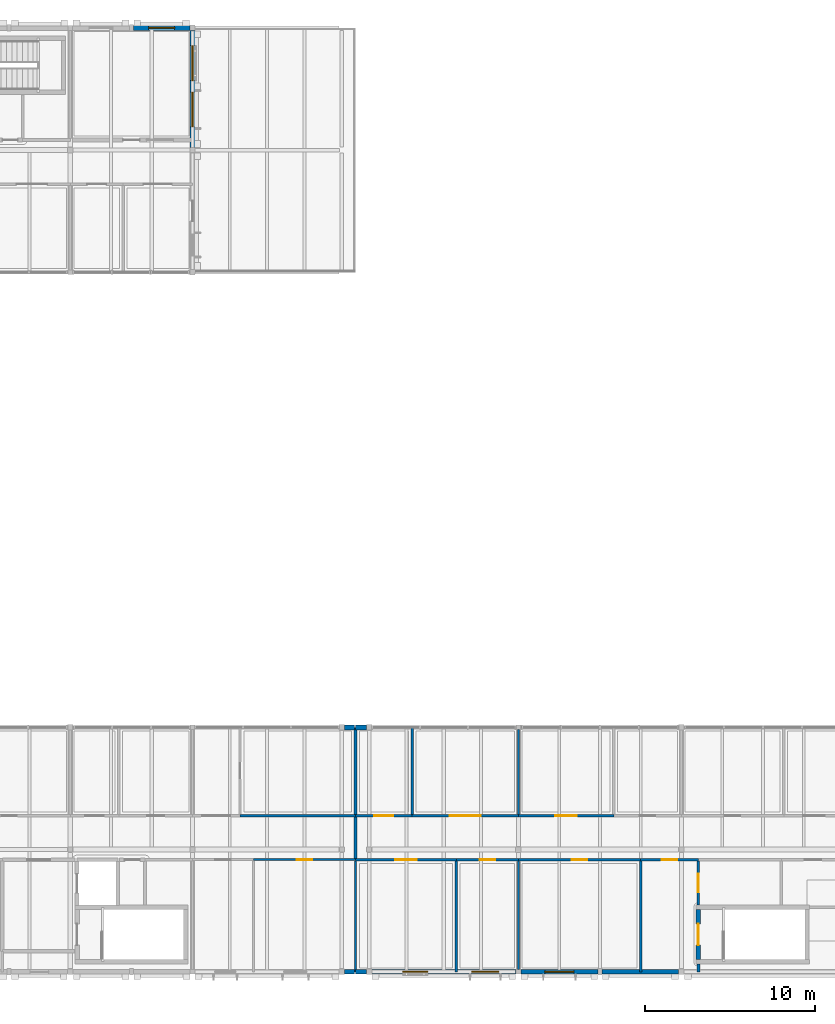
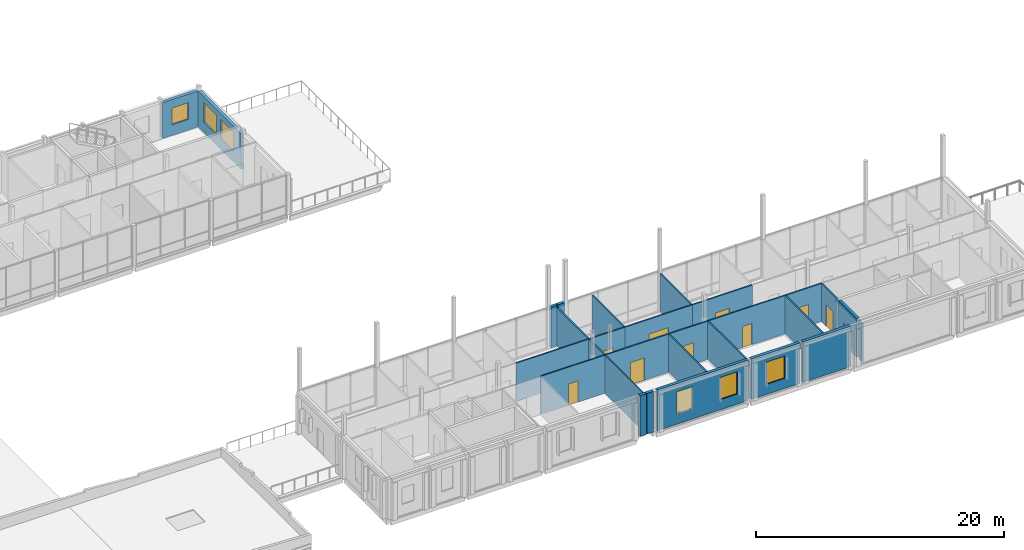
# One storey, part 42 of 57: 29 walls, 10 doors, 6 windows, 16 openings.
"""IFC4 building model written with IfcOpenShell, lengths in metres."""

from ifc_helpers import new_model, si_unit, direction, frame, frame_2d, origin, place, context, subcontext, project, spatial, rectangle, extrude, material, layer, layer_set, type_object, element, fill, save


model = new_model("IFC4")

# Units and contexts
model_context = context("Model", 3, precision=1e-05, world=origin(), true_north=direction((0.0, 1.0)))
body_context = subcontext(model_context, "Body", "Model", "MODEL_VIEW")
ifc_project = project(units=[si_unit("LENGTHUNIT", "METRE"), si_unit("AREAUNIT", "SQUARE_METRE"), si_unit("VOLUMEUNIT", "CUBIC_METRE"), si_unit("PLANEANGLEUNIT", "RADIAN"), si_unit("MASSUNIT", "GRAM", prefix="KILO")], contexts=[model_context])

# Site, building, storey
site_placement = place(None, origin())
site = spatial("IfcSite", under=ifc_project, at=site_placement, CompositionType="ELEMENT")
building_placement = place(site_placement, origin())
building = spatial("IfcBuilding", under=site, at=building_placement, Name="Hawrajan Terrace Health Centre", CompositionType="ELEMENT")
storey_placement = place(building_placement, frame((0.0, 0.0, 13.199951171875)))
storey = spatial("IfcBuildingStorey", under=building, at=storey_placement, Name="L03", CompositionType="ELEMENT", Elevation=13.199951171875)

# Wall
ifc_material_1 = material(Name="Gypsum board on acoustic stud framing")
ifc_layer_1 = layer(ifc_material_1, 0.139892578125)
ifc_layer_set_1 = layer_set([ifc_layer_1], Name="Gypsum board on acoustic stud framing")
wall_type_1 = type_object("IfcWallType", Name="ClinicalAcousticWall_140", PredefinedType="PARTITIONING", material=ifc_layer_set_1)
wall_1_placement = place(storey_placement, frame((65.0, 13.39990234375, 0.0), z_axis=(0.0, 0.0, 1.0), x_axis=(1.0, 0.0, 0.0)))
element("IfcWall", 1, at=wall_1_placement, inside=storey, type_object=wall_type_1, Name="Interior wall IW-L03-1358", PredefinedType="PARTITIONING", context=body_context, shape_type="SweptSolid", body=[
    extrude(rectangle(XDim=6.794921875, YDim=0.139892578125, at=frame_2d((3.3974609375, 0.0))), origin(), (0.0, 0.0, 1.0), 3.75),
])

# Wall, opening, door
wall_2_placement = place(storey_placement, frame((71.804931640625, 10.800048828125, 0.0), z_axis=(0.0, 0.0, 1.0), x_axis=(1.0, 0.0, 0.0)))
wall_2 = element("IfcWall", 2, at=wall_2_placement, inside=storey, type_object=wall_type_1, Name="Interior wall IW-L03-1361", PredefinedType="PARTITIONING", context=body_context, shape_type="SweptSolid", body=[
    extrude(rectangle(XDim=5.93896484375, YDim=0.139892578125, at=frame_2d((2.969482421875, 0.0))), origin(), (0.0, 0.0, 1.0), 3.75),
])
opening_1_placement = place(wall_2_placement, frame((2.32958984375, 0.0, 0.0)))
opening_1 = element("IfcOpeningElement", 3, at=opening_1_placement, cuts=wall_2, Name="Opening D-L03-620", PredefinedType="OPENING", context=body_context, shape_type="SweptSolid", body=[
    extrude(rectangle(XDim=1.280029296875, YDim=2.199951171875, at=frame_2d((0.64013671875, 1.10009765625))), frame((0.0, 0.079833984375, 0.0), z_axis=(0.0, -1.0, 0.0), x_axis=(1.0, 0.0, 0.0)), (0.0, 0.0, 1.0), 0.159912109375),
])
ifc_material_2 = material(Name="Hardwood acoustic clinical door leaf and frame", Category="wood")
door_type_1 = type_object("IfcDoorType", Name="ExamSuiteDoor_1280x2200", OperationType="NOTDEFINED", PredefinedType="DOOR", material=ifc_material_2)
door_1_placement = place(opening_1_placement, origin())
door_1 = element("IfcDoor", 4, at=door_1_placement, inside=storey, type_object=door_type_1, Name="Interior door D-L03-620", OperationType="SINGLE_SWING_RIGHT", OverallHeight=2.199951171875, OverallWidth=1.280029296875, PredefinedType="DOOR", context=body_context, shape_type="SweptSolid", body=[
    extrude(rectangle(XDim=1.280029296875, YDim=2.199951171875, at=frame_2d((0.64013671875, 1.10009765625))), frame((0.0, 0.02490234375, 0.0), z_axis=(0.0, -1.0, 0.0), x_axis=(1.0, 0.0, 0.0)), (0.0, 0.0, 1.0), 0.050048828125),
])
fill(opening_1, door_1)

wall_3_placement = place(storey_placement, frame((71.804931640625, 13.39990234375, 0.0), z_axis=(0.0, 0.0, 1.0), x_axis=(1.0, 0.0, 0.0)))
wall_3 = element("IfcWall", 5, at=wall_3_placement, inside=storey, type_object=wall_type_1, Name="Interior wall IW-L03-1362", PredefinedType="PARTITIONING", context=body_context, shape_type="SweptSolid", body=[
    extrude(rectangle(XDim=3.330078125, YDim=0.139892578125, at=frame_2d((1.6650390625, 0.0))), origin(), (0.0, 0.0, 1.0), 3.75),
])
opening_2_placement = place(wall_3_placement, frame((1.114990234375, 0.0, 0.0)))
opening_2 = element("IfcOpeningElement", 6, at=opening_2_placement, cuts=wall_3, Name="Opening D-L03-622", PredefinedType="OPENING", context=body_context, shape_type="SweptSolid", body=[
    extrude(rectangle(XDim=1.10009765625, YDim=2.10009765625, at=frame_2d((0.550048828125, 1.050048828125))), frame((0.0, 0.079833984375, 0.0), z_axis=(0.0, -1.0, 0.0), x_axis=(1.0, 0.0, 0.0)), (0.0, 0.0, 1.0), 0.159912109375),
])
door_type_2 = type_object("IfcDoorType", Name="ConsultDoor_1100x2100", OperationType="NOTDEFINED", PredefinedType="DOOR", material=ifc_material_2)
door_2_placement = place(opening_2_placement, origin())
door_2 = element("IfcDoor", 7, at=door_2_placement, inside=storey, type_object=door_type_2, Name="Interior door D-L03-622", OperationType="SINGLE_SWING_RIGHT", OverallHeight=2.10009765625, OverallWidth=1.10009765625, PredefinedType="DOOR", context=body_context, shape_type="SweptSolid", body=[
    extrude(rectangle(XDim=1.10009765625, YDim=2.10009765625, at=frame_2d((0.550048828125, 1.050048828125))), frame((0.0, 0.02490234375, 0.0), z_axis=(0.0, -1.0, 0.0), x_axis=(1.0, 0.0, 0.0)), (0.0, 0.0, 1.0), 0.050048828125),
])
fill(opening_2, door_2)

# Wall
wall_4_placement = place(storey_placement, frame((75.135009765625, 13.469970703125, 0.0), z_axis=(0.0, 0.0, 1.0), x_axis=(0.0, 1.0, 0.0)))
element("IfcWall", 8, at=wall_4_placement, inside=storey, type_object=wall_type_1, Name="Interior wall IW-L03-1363", PredefinedType="PARTITIONING", context=body_context, shape_type="SweptSolid", body=[
    extrude(rectangle(XDim=5.130126953125, YDim=0.139892578125, at=frame_2d((2.56494140625, 0.0))), origin(), (0.0, 0.0, 1.0), 3.75),
])

# Wall, opening, door
wall_5_placement = place(storey_placement, frame((75.135009765625, 13.39990234375, 0.0), z_axis=(0.0, 0.0, 1.0), x_axis=(1.0, 0.0, 0.0)))
wall_5 = element("IfcWall", 9, at=wall_5_placement, inside=storey, type_object=wall_type_1, Name="Interior wall IW-L03-1364", PredefinedType="PARTITIONING", context=body_context, shape_type="SweptSolid", body=[
    extrude(rectangle(XDim=6.264892578125, YDim=0.139892578125, at=frame_2d((3.13232421875, 0.0))), origin(), (0.0, 0.0, 1.0), 3.75),
])
opening_3_placement = place(wall_5_placement, frame((2.232421875, 0.0, 0.0)))
opening_3 = element("IfcOpeningElement", 10, at=opening_3_placement, cuts=wall_5, Name="Opening D-L03-623", PredefinedType="OPENING", context=body_context, shape_type="SweptSolid", body=[
    extrude(rectangle(XDim=1.800048828125, YDim=2.300048828125, at=frame_2d((0.89990234375, 1.14990234375))), frame((0.0, 0.079833984375, 0.0), z_axis=(0.0, -1.0, 0.0), x_axis=(1.0, 0.0, 0.0)), (0.0, 0.0, 1.0), 0.159912109375),
])
door_type_3 = type_object("IfcDoorType", Name="EducationHallDoor_1800x2300", OperationType="DOUBLE_DOOR_SINGLE_SWING", PredefinedType="DOOR", material=ifc_material_2)
door_3_placement = place(opening_3_placement, origin())
door_3 = element("IfcDoor", 11, at=door_3_placement, inside=storey, type_object=door_type_3, Name="Interior door D-L03-623", OperationType="DOUBLE_DOOR_SINGLE_SWING", OverallHeight=2.300048828125, OverallWidth=1.800048828125, PredefinedType="DOOR", context=body_context, shape_type="SweptSolid", body=[
    extrude(rectangle(XDim=1.800048828125, YDim=2.300048828125, at=frame_2d((0.89990234375, 1.14990234375))), frame((0.0, 0.02490234375, 0.0), z_axis=(0.0, -1.0, 0.0), x_axis=(1.0, 0.0, 0.0)), (0.0, 0.0, 1.0), 0.050048828125),
])
fill(opening_3, door_3)

# Wall
wall_6_placement = place(storey_placement, frame((77.743896484375, 4.199951171875, 0.0), z_axis=(0.0, 0.0, 1.0), x_axis=(0.0, 1.0, 0.0)))
element("IfcWall", 12, at=wall_6_placement, inside=storey, type_object=wall_type_1, Name="Interior wall IW-L03-1365", PredefinedType="PARTITIONING", context=body_context, shape_type="SweptSolid", body=[
    extrude(rectangle(XDim=6.530029296875, YDim=0.139892578125, at=frame_2d((3.26513671875, 0.0))), origin(), (0.0, 0.0, 1.0), 3.75),
])

# Wall, opening, door
wall_7_placement = place(storey_placement, frame((77.743896484375, 10.800048828125, 0.0), z_axis=(0.0, 0.0, 1.0), x_axis=(1.0, 0.0, 0.0)))
wall_7 = element("IfcWall", 13, at=wall_7_placement, inside=storey, type_object=wall_type_1, Name="Interior wall IW-L03-1366", PredefinedType="PARTITIONING", context=body_context, shape_type="SweptSolid", body=[
    extrude(rectangle(XDim=3.656005859375, YDim=0.139892578125, at=frame_2d((1.828125, 0.0))), origin(), (0.0, 0.0, 1.0), 3.75),
])
opening_4_placement = place(wall_7_placement, frame((1.3779296875, 0.0, 0.0)))
opening_4 = element("IfcOpeningElement", 14, at=opening_4_placement, cuts=wall_7, Name="Opening D-L03-621", PredefinedType="OPENING", context=body_context, shape_type="SweptSolid", body=[
    extrude(rectangle(XDim=0.89990234375, YDim=2.10009765625, at=frame_2d((0.449951171875, 1.050048828125))), frame((0.0, 0.079833984375, 0.0), z_axis=(0.0, -1.0, 0.0), x_axis=(1.0, 0.0, 0.0)), (0.0, 0.0, 1.0), 0.159912109375),
])
door_type_4 = type_object("IfcDoorType", Name="PatientWCDoor_900x2100", OperationType="NOTDEFINED", PredefinedType="DOOR", material=ifc_material_2)
door_4_placement = place(opening_4_placement, origin())
door_4 = element("IfcDoor", 15, at=door_4_placement, inside=storey, type_object=door_type_4, Name="Interior door D-L03-621", OperationType="SINGLE_SWING_LEFT", OverallHeight=2.10009765625, OverallWidth=0.89990234375, PredefinedType="DOOR", context=body_context, shape_type="SweptSolid", body=[
    extrude(rectangle(XDim=0.89990234375, YDim=2.10009765625, at=frame_2d((0.449951171875, 1.050048828125))), frame((0.0, 0.02490234375, 0.0), z_axis=(0.0, -1.0, 0.0), x_axis=(1.0, 0.0, 0.0)), (0.0, 0.0, 1.0), 0.050048828125),
])
fill(opening_4, door_4)

# Wall
wall_8_placement = place(storey_placement, frame((81.39990234375, 4.340087890625, 0.0), z_axis=(0.0, 0.0, 1.0), x_axis=(0.0, 1.0, 0.0)))
element("IfcWall", 16, at=wall_8_placement, inside=storey, type_object=wall_type_1, Name="Interior wall IW-L03-1367", PredefinedType="PARTITIONING", context=body_context, shape_type="SweptSolid", body=[
    extrude(rectangle(XDim=6.389892578125, YDim=0.139892578125, at=frame_2d((3.19482421875, 0.0))), origin(), (0.0, 0.0, 1.0), 3.75),
])

# Wall, opening, door
wall_9_placement = place(storey_placement, frame((81.39990234375, 10.800048828125, 0.0), z_axis=(0.0, 0.0, 1.0), x_axis=(1.0, 0.0, 0.0)))
wall_9 = element("IfcWall", 17, at=wall_9_placement, inside=storey, type_object=wall_type_1, Name="Interior wall IW-L03-1368", PredefinedType="PARTITIONING", context=body_context, shape_type="SweptSolid", body=[
    extrude(rectangle(XDim=7.2001953125, YDim=0.139892578125, at=frame_2d((3.60009765625, 0.0))), origin(), (0.0, 0.0, 1.0), 3.75),
])
opening_5_placement = place(wall_9_placement, frame((3.14990234375, 0.0, 0.0)))
opening_5 = element("IfcOpeningElement", 18, at=opening_5_placement, cuts=wall_9, Name="Opening D-L03-624", PredefinedType="OPENING", context=body_context, shape_type="SweptSolid", body=[
    extrude(rectangle(XDim=0.89990234375, YDim=2.10009765625, at=frame_2d((0.449951171875, 1.050048828125))), frame((0.0, 0.079833984375, 0.0), z_axis=(0.0, -1.0, 0.0), x_axis=(1.0, 0.0, 0.0)), (0.0, 0.0, 1.0), 0.159912109375),
])
door_5_placement = place(opening_5_placement, origin())
door_5 = element("IfcDoor", 19, at=door_5_placement, inside=storey, type_object=door_type_4, Name="Interior door D-L03-624", OperationType="SINGLE_SWING_RIGHT", OverallHeight=2.10009765625, OverallWidth=0.89990234375, PredefinedType="DOOR", context=body_context, shape_type="SweptSolid", body=[
    extrude(rectangle(XDim=0.89990234375, YDim=2.10009765625, at=frame_2d((0.449951171875, 1.050048828125))), frame((0.0, 0.02490234375, 0.0), z_axis=(0.0, -1.0, 0.0), x_axis=(1.0, 0.0, 0.0)), (0.0, 0.0, 1.0), 0.050048828125),
])
fill(opening_5, door_5)

# Wall
wall_10_placement = place(storey_placement, frame((81.39990234375, 13.469970703125, 0.0), z_axis=(0.0, 0.0, 1.0), x_axis=(0.0, 1.0, 0.0)))
element("IfcWall", 20, at=wall_10_placement, inside=storey, type_object=wall_type_1, Name="Interior wall IW-L03-1369", PredefinedType="PARTITIONING", context=body_context, shape_type="SweptSolid", body=[
    extrude(rectangle(XDim=4.989990234375, YDim=0.139892578125, at=frame_2d((2.4951171875, 0.0))), origin(), (0.0, 0.0, 1.0), 3.75),
])

# Wall, opening, door
wall_11_placement = place(storey_placement, frame((81.39990234375, 13.39990234375, 0.0), z_axis=(0.0, 0.0, 1.0), x_axis=(1.0, 0.0, 0.0)))
wall_11 = element("IfcWall", 21, at=wall_11_placement, inside=storey, type_object=wall_type_1, Name="Interior wall IW-L03-1370", PredefinedType="PARTITIONING", context=body_context, shape_type="SweptSolid", body=[
    extrude(rectangle(XDim=5.6162109375, YDim=0.139892578125, at=frame_2d((2.80810546875, 0.0))), origin(), (0.0, 0.0, 1.0), 3.75),
])
opening_6_placement = place(wall_11_placement, frame((2.16796875, 0.0, 0.0)))
opening_6 = element("IfcOpeningElement", 22, at=opening_6_placement, cuts=wall_11, Name="Opening D-L03-625", PredefinedType="OPENING", context=body_context, shape_type="SweptSolid", body=[
    extrude(rectangle(XDim=1.280029296875, YDim=2.199951171875, at=frame_2d((0.64013671875, 1.10009765625))), frame((0.0, 0.079833984375, 0.0), z_axis=(0.0, -1.0, 0.0), x_axis=(1.0, 0.0, 0.0)), (0.0, 0.0, 1.0), 0.159912109375),
])
door_6_placement = place(opening_6_placement, origin())
door_6 = element("IfcDoor", 23, at=door_6_placement, inside=storey, type_object=door_type_1, Name="Interior door D-L03-625", OperationType="SINGLE_SWING_LEFT", OverallHeight=2.199951171875, OverallWidth=1.280029296875, PredefinedType="DOOR", context=body_context, shape_type="SweptSolid", body=[
    extrude(rectangle(XDim=1.280029296875, YDim=2.199951171875, at=frame_2d((0.64013671875, 1.10009765625))), frame((0.0, 0.02490234375, 0.0), z_axis=(0.0, -1.0, 0.0), x_axis=(1.0, 0.0, 0.0)), (0.0, 0.0, 1.0), 0.050048828125),
])
fill(opening_6, door_6)

# Wall
wall_12_placement = place(storey_placement, frame((88.60009765625, 4.199951171875, 0.0), z_axis=(0.0, 0.0, 1.0), x_axis=(0.0, 1.0, 0.0)))
element("IfcWall", 24, at=wall_12_placement, inside=storey, type_object=wall_type_1, Name="Interior wall IW-L03-1373", PredefinedType="PARTITIONING", context=body_context, shape_type="SweptSolid", body=[
    extrude(rectangle(XDim=6.530029296875, YDim=0.139892578125, at=frame_2d((3.26513671875, 0.0))), origin(), (0.0, 0.0, 1.0), 3.75),
])

# Wall, opening, door
wall_13_placement = place(storey_placement, frame((88.60009765625, 10.800048828125, 0.0), z_axis=(0.0, 0.0, 1.0), x_axis=(1.0, 0.0, 0.0)))
wall_13 = element("IfcWall", 25, at=wall_13_placement, inside=storey, type_object=wall_type_1, Name="Interior wall IW-L03-1374", PredefinedType="PARTITIONING", context=body_context, shape_type="SweptSolid", body=[
    extrude(rectangle(XDim=3.39990234375, YDim=0.139892578125, at=frame_2d((1.699951171875, 0.0))), origin(), (0.0, 0.0, 1.0), 3.75),
])
opening_7_placement = place(wall_13_placement, frame((1.25, 0.0, 0.0)))
opening_7 = element("IfcOpeningElement", 26, at=opening_7_placement, cuts=wall_13, Name="Opening D-L03-579", PredefinedType="OPENING", context=body_context, shape_type="SweptSolid", body=[
    extrude(rectangle(XDim=0.89990234375, YDim=2.10009765625, at=frame_2d((0.449951171875, 1.050048828125))), frame((0.0, 0.079833984375, 0.0), z_axis=(0.0, -1.0, 0.0), x_axis=(1.0, 0.0, 0.0)), (0.0, 0.0, 1.0), 0.159912109375),
])
door_7_placement = place(opening_7_placement, origin())
door_7 = element("IfcDoor", 27, at=door_7_placement, inside=storey, type_object=door_type_4, Name="Interior door D-L03-579", OperationType="SINGLE_SWING_LEFT", OverallHeight=2.10009765625, OverallWidth=0.89990234375, PredefinedType="DOOR", context=body_context, shape_type="SweptSolid", body=[
    extrude(rectangle(XDim=0.89990234375, YDim=2.10009765625, at=frame_2d((0.449951171875, 1.050048828125))), frame((0.0, 0.02490234375, 0.0), z_axis=(0.0, -1.0, 0.0), x_axis=(1.0, 0.0, 0.0)), (0.0, 0.0, 1.0), 0.050048828125),
])
fill(opening_7, door_7)

wall_14_placement = place(storey_placement, frame((92.0, 8.139892578125, 0.0), z_axis=(0.0, 0.0, 1.0), x_axis=(0.0, 1.0, 0.0)))
wall_14 = element("IfcWall", 28, at=wall_14_placement, inside=storey, type_object=wall_type_1, Name="Interior wall IW-L03-1377", PredefinedType="PARTITIONING", context=body_context, shape_type="SweptSolid", body=[
    extrude(rectangle(XDim=2.590087890625, YDim=0.139892578125, at=frame_2d((1.294921875, 0.0))), origin(), (0.0, 0.0, 1.0), 3.75),
])
opening_8_placement = place(wall_14_placement, frame((0.7451171875, 0.0, 0.0)))
opening_8 = element("IfcOpeningElement", 29, at=opening_8_placement, cuts=wall_14, Name="Opening D-L03-627", PredefinedType="OPENING", context=body_context, shape_type="SweptSolid", body=[
    extrude(rectangle(XDim=1.10009765625, YDim=2.10009765625, at=frame_2d((0.550048828125, 1.050048828125))), frame((0.0, 0.079833984375, 0.0), z_axis=(0.0, -1.0, 0.0), x_axis=(1.0, 0.0, 0.0)), (0.0, 0.0, 1.0), 0.159912109375),
])
door_8_placement = place(opening_8_placement, origin())
door_8 = element("IfcDoor", 30, at=door_8_placement, inside=storey, type_object=door_type_2, Name="Interior door D-L03-627", OperationType="SINGLE_SWING_LEFT", OverallHeight=2.10009765625, OverallWidth=1.10009765625, PredefinedType="DOOR", context=body_context, shape_type="SweptSolid", body=[
    extrude(rectangle(XDim=1.10009765625, YDim=2.10009765625, at=frame_2d((0.550048828125, 1.050048828125))), frame((0.0, 0.02490234375, 0.0), z_axis=(0.0, -1.0, 0.0), x_axis=(1.0, 0.0, 0.0)), (0.0, 0.0, 1.0), 0.050048828125),
])
fill(opening_8, door_8)

ifc_material_3 = material(Name="Concrete C40/50", Category="concrete")
ifc_layer_2 = layer(ifc_material_3, 0.260009765625)
ifc_layer_set_2 = layer_set([ifc_layer_2], Name="Concrete C40/50")
wall_type_2 = type_object("IfcWallType", Name="CoreShearWall_RC260", PredefinedType="SHEAR", material=ifc_layer_set_2)
wall_15_placement = place(storey_placement, frame((92.0, 4.929931640625, 0.0), z_axis=(0.0, 0.0, 1.0), x_axis=(0.0, 1.0, 0.0)))
wall_15 = element("IfcWall", 31, at=wall_15_placement, inside=storey, type_object=wall_type_2, Name="Core shear wall SW-S5-L03-W", PredefinedType="SHEAR", context=body_context, shape_type="SweptSolid", body=[
    extrude(rectangle(XDim=2.940185546875, YDim=0.260009765625, at=frame_2d((1.47021484375, 0.0))), origin(), (0.0, 0.0, 1.0), 3.85009765625),
])
opening_9_placement = place(wall_15_placement, frame((0.844970703125, 0.0, 0.0)))
opening_9 = element("IfcOpeningElement", 32, at=opening_9_placement, cuts=wall_15, Name="Opening D-L03-568", PredefinedType="OPENING", context=body_context, shape_type="SweptSolid", body=[
    extrude(rectangle(XDim=1.25, YDim=2.14990234375, at=frame_2d((0.625, 1.074951171875))), frame((0.0, 0.139892578125, 0.0), z_axis=(0.0, -1.0, 0.0), x_axis=(1.0, 0.0, 0.0)), (0.0, 0.0, 1.0), 0.280029296875),
])
ifc_material_4 = material(Name="Timber-veneered acoustic fire-resisting door assembly", Category="wood")
door_type_5 = type_object("IfcDoorType", Name="CoreStairDoor_1250x2150", OperationType="NOTDEFINED", PredefinedType="DOOR", material=ifc_material_4)
door_9_placement = place(opening_9_placement, origin())
door_9 = element("IfcDoor", 33, at=door_9_placement, inside=storey, type_object=door_type_5, Name="Interior door D-L03-568", OperationType="SINGLE_SWING_RIGHT", OverallHeight=2.14990234375, OverallWidth=1.25, PredefinedType="DOOR", context=body_context, shape_type="SweptSolid", body=[
    extrude(rectangle(XDim=1.25, YDim=2.14990234375, at=frame_2d((0.625, 1.074951171875))), frame((0.0, 0.02490234375, 0.0), z_axis=(0.0, -1.0, 0.0), x_axis=(1.0, 0.0, 0.0)), (0.0, 0.0, 1.0), 0.050048828125),
])
fill(opening_9, door_9)

# Walls
ifc_layer_3 = layer(ifc_material_1, 0.159912109375)
ifc_layer_set_3 = layer_set([ifc_layer_3], Name="Gypsum board on acoustic stud framing")
wall_type_3 = type_object("IfcWallType", Name="CorridorFireWall_160", PredefinedType="PARTITIONING", material=ifc_layer_set_3)
wall_16_placement = place(storey_placement, frame((71.794921875, 10.8701171875, 0.0), z_axis=(0.0, 0.0, 1.0), x_axis=(0.0, 1.0, 0.0)))
element("IfcWall", 34, at=wall_16_placement, inside=storey, type_object=wall_type_3, Name="Interior wall IW-L03-1404", PredefinedType="PARTITIONING", context=body_context, shape_type="SweptSolid", body=[
    extrude(rectangle(XDim=2.4599609375, YDim=0.159912109375, at=frame_2d((1.22998046875, 0.0))), origin(), (0.0, 0.0, 1.0), 3.75),
])
wall_17_placement = place(storey_placement, frame((92.0, 4.199951171875, 0.0), z_axis=(0.0, 0.0, 1.0), x_axis=(0.0, 1.0, 0.0)))
element("IfcWall", 35, at=wall_17_placement, inside=storey, type_object=wall_type_3, Name="Interior wall IW-L03-1405", PredefinedType="PARTITIONING", context=body_context, shape_type="SweptSolid", body=[
    extrude(rectangle(XDim=0.4599609375, YDim=0.159912109375, at=frame_2d((0.22998046875, 0.0))), origin(), (0.0, 0.0, 1.0), 3.75),
])
wall_18_placement = place(storey_placement, frame((71.794921875, 13.469970703125, 0.0), z_axis=(0.0, 0.0, 1.0), x_axis=(0.0, 1.0, 0.0)))
element("IfcWall", 36, at=wall_18_placement, inside=storey, type_object=wall_type_3, Name="Interior wall IW-L03-1415", PredefinedType="PARTITIONING", context=body_context, shape_type="SweptSolid", body=[
    extrude(rectangle(XDim=5.130126953125, YDim=0.159912109375, at=frame_2d((2.56494140625, 0.0))), origin(), (0.0, 0.0, 1.0), 3.75),
])

# Wall, opening, window
ifc_material_5 = material(Name="Cross-laminated timber CLT C24", Category="wood")
ifc_layer_4 = layer(ifc_material_5, 0.2900390625)
ifc_layer_set_4 = layer_set([ifc_layer_4], Name="Cross-laminated timber CLT C24")
wall_type_4 = type_object("IfcWallType", Name="InsulatedTimberFacade_290", PredefinedType="SOLIDWALL", material=ifc_layer_set_4)
wall_19_placement = place(storey_placement, frame((58.719970703125, 59.800048828125, 0.0), z_axis=(0.0, 0.0, 1.0), x_axis=(1.0, 0.0, 0.0)))
wall_19 = element("IfcWall", 37, at=wall_19_placement, inside=storey, type_object=wall_type_4, Name="Exterior wall EW-L03-H07-07-2", PredefinedType="SOLIDWALL", context=body_context, shape_type="SweptSolid", body=[
    extrude(rectangle(XDim=3.320068359375, YDim=0.2900390625, at=frame_2d((1.66015625, 0.0))), origin(), (0.0, 0.0, 1.0), 3.52001953125),
])
opening_10_placement = place(wall_19_placement, frame((0.889892578125, 0.0, 1.050048828125)))
opening_10 = element("IfcOpeningElement", 38, at=opening_10_placement, cuts=wall_19, Name="Opening W-L03-199", PredefinedType="OPENING", context=body_context, shape_type="SweptSolid", body=[
    extrude(rectangle(XDim=1.5400390625, YDim=1.64990234375, at=frame_2d((0.77001953125, 0.824951171875))), frame((0.0, 0.155029296875, 0.0), z_axis=(0.0, -1.0, 0.0), x_axis=(1.0, 0.0, 0.0)), (0.0, 0.0, 1.0), 0.31005859375),
])
ifc_material_6 = material(Name="Anodized bronze frame with double low-E glazing", Category="glass")
window_type_1 = type_object("IfcWindowType", Name="FacadeWindow_1540x1650", PartitioningType="DOUBLE_PANEL_VERTICAL", PredefinedType="WINDOW", material=ifc_material_6)
window_1_placement = place(opening_10_placement, origin())
window_1 = element("IfcWindow", 39, at=window_1_placement, inside=storey, type_object=window_type_1, Name="Window W-L03-199", OverallHeight=1.64990234375, OverallWidth=1.5400390625, PartitioningType="DOUBLE_PANEL_VERTICAL", PredefinedType="WINDOW", context=body_context, shape_type="SweptSolid", body=[
    extrude(rectangle(XDim=1.5400390625, YDim=1.64990234375, at=frame_2d((0.77001953125, 0.824951171875))), frame((0.0, 0.030029296875, 0.0), z_axis=(0.0, -1.0, 0.0), x_axis=(1.0, 0.0, 0.0)), (0.0, 0.0, 1.0), 0.06005859375),
])
fill(opening_10, window_1)

# Wall, openings, windows
wall_20_placement = place(storey_placement, frame((62.199951171875, 52.739990234375, 0.0), z_axis=(0.0, 0.0, 1.0), x_axis=(0.0, 1.0, 0.0)))
wall_20 = element("IfcWall", 40, at=wall_20_placement, inside=storey, type_object=wall_type_4, Name="Exterior wall EW-L03-V08-06-1", PredefinedType="SOLIDWALL", context=body_context, shape_type="SweptSolid", body=[
    extrude(rectangle(XDim=6.89990234375, YDim=0.2900390625, at=frame_2d((3.449951171875, 0.0))), origin(), (0.0, 0.0, 1.0), 3.52001953125),
])
opening_11_placement = place(wall_20_placement, frame((1.22998046875, 0.0, 1.0)))
opening_11 = element("IfcOpeningElement", 41, at=opening_11_placement, cuts=wall_20, Name="Opening W-L03-200", PredefinedType="OPENING", context=body_context, shape_type="SweptSolid", body=[
    extrude(rectangle(XDim=2.050048828125, YDim=1.949951171875, at=frame_2d((1.02490234375, 0.97509765625))), frame((0.0, 0.155029296875, 0.0), z_axis=(0.0, -1.0, 0.0), x_axis=(1.0, 0.0, 0.0)), (0.0, 0.0, 1.0), 0.31005859375),
])
opening_12_placement = place(wall_20_placement, frame((3.9599609375, 0.0, 1.0)))
opening_12 = element("IfcOpeningElement", 42, at=opening_12_placement, cuts=wall_20, Name="Opening W-L03-201", PredefinedType="OPENING", context=body_context, shape_type="SweptSolid", body=[
    extrude(rectangle(XDim=2.050048828125, YDim=1.949951171875, at=frame_2d((1.02490234375, 0.97509765625))), frame((0.0, 0.155029296875, 0.0), z_axis=(0.0, -1.0, 0.0), x_axis=(1.0, 0.0, 0.0)), (0.0, 0.0, 1.0), 0.31005859375),
])
window_type_2 = type_object("IfcWindowType", Name="FacadeWindow_2050x1950", PartitioningType="DOUBLE_PANEL_VERTICAL", PredefinedType="WINDOW", material=ifc_material_6)
window_2_placement = place(opening_11_placement, origin())
window_2 = element("IfcWindow", 43, at=window_2_placement, inside=storey, type_object=window_type_2, Name="Window W-L03-200", OverallHeight=1.949951171875, OverallWidth=2.050048828125, PartitioningType="DOUBLE_PANEL_VERTICAL", PredefinedType="WINDOW", context=body_context, shape_type="SweptSolid", body=[
    extrude(rectangle(XDim=2.050048828125, YDim=1.949951171875, at=frame_2d((1.02490234375, 0.97509765625))), frame((0.0, 0.030029296875, 0.0), z_axis=(0.0, -1.0, 0.0), x_axis=(1.0, 0.0, 0.0)), (0.0, 0.0, 1.0), 0.06005859375),
])
fill(opening_11, window_2)
window_3_placement = place(opening_12_placement, origin())
window_3 = element("IfcWindow", 44, at=window_3_placement, inside=storey, type_object=window_type_2, Name="Window W-L03-201", OverallHeight=1.949951171875, OverallWidth=2.050048828125, PartitioningType="DOUBLE_PANEL_VERTICAL", PredefinedType="WINDOW", context=body_context, shape_type="SweptSolid", body=[
    extrude(rectangle(XDim=2.050048828125, YDim=1.949951171875, at=frame_2d((1.02490234375, 0.97509765625))), frame((0.0, 0.030029296875, 0.0), z_axis=(0.0, -1.0, 0.0), x_axis=(1.0, 0.0, 0.0)), (0.0, 0.0, 1.0), 0.06005859375),
])
fill(opening_12, window_3)

# Walls
wall_21_placement = place(storey_placement, frame((71.159912109375, 4.199951171875, 0.0), z_axis=(0.0, 0.0, 1.0), x_axis=(1.0, 0.0, 0.0)))
element("IfcWall", 45, at=wall_21_placement, inside=storey, type_object=wall_type_4, Name="Exterior wall EW-L03-H08-00-2", PredefinedType="SOLIDWALL", context=body_context, shape_type="SweptSolid", body=[
    extrude(rectangle(XDim=0.594970703125, YDim=0.2900390625, at=frame_2d((0.29736328125, 0.0))), origin(), (0.0, 0.0, 1.0), 4.0),
])
wall_22_placement = place(storey_placement, frame((71.159912109375, 18.60009765625, 0.0), z_axis=(0.0, 0.0, 1.0), x_axis=(1.0, 0.0, 0.0)))
element("IfcWall", 46, at=wall_22_placement, inside=storey, type_object=wall_type_4, Name="Exterior wall EW-L03-H08-02-2", PredefinedType="SOLIDWALL", context=body_context, shape_type="SweptSolid", body=[
    extrude(rectangle(XDim=0.5751953125, YDim=0.2900390625, at=frame_2d((0.28759765625, 0.0))), origin(), (0.0, 0.0, 1.0), 4.0),
])
wall_23_placement = place(storey_placement, frame((71.804931640625, 4.199951171875, 0.0), z_axis=(0.0, 0.0, 1.0), x_axis=(1.0, 0.0, 0.0)))
element("IfcWall", 47, at=wall_23_placement, inside=storey, type_object=wall_type_4, Name="Exterior wall EW-L03-H09-00-1", PredefinedType="SOLIDWALL", context=body_context, shape_type="SweptSolid", body=[
    extrude(rectangle(XDim=0.635009765625, YDim=0.2900390625, at=frame_2d((0.3173828125, 0.0))), origin(), (0.0, 0.0, 1.0), 4.0),
])

# Wall, openings, windows
wall_24_placement = place(storey_placement, frame((72.760009765625, 4.199951171875, 0.0), z_axis=(0.0, 0.0, 1.0), x_axis=(1.0, 0.0, 0.0)))
wall_24 = element("IfcWall", 48, at=wall_24_placement, inside=storey, type_object=wall_type_4, Name="Exterior wall EW-L03-H09-00-2", PredefinedType="SOLIDWALL", context=body_context, shape_type="SweptSolid", body=[
    extrude(rectangle(XDim=8.5, YDim=0.2900390625, at=frame_2d((4.25, 0.0))), origin(), (0.0, 0.0, 1.0), 4.0),
])
opening_13_placement = place(wall_24_placement, frame((1.812255859375, 0.0, 1.0)))
opening_13 = element("IfcOpeningElement", 49, at=opening_13_placement, cuts=wall_24, Name="Opening W-L03-204", PredefinedType="OPENING", context=body_context, shape_type="SweptSolid", body=[
    extrude(rectangle(XDim=1.47998046875, YDim=2.199951171875, at=frame_2d((0.739990234375, 1.10009765625))), frame((0.0, 0.155029296875, 0.0), z_axis=(0.0, -1.0, 0.0), x_axis=(1.0, 0.0, 0.0)), (0.0, 0.0, 1.0), 0.31005859375),
])
opening_14_placement = place(wall_24_placement, frame((5.882080078125, 0.0, 1.0)))
opening_14 = element("IfcOpeningElement", 50, at=opening_14_placement, cuts=wall_24, Name="Opening W-L03-205", PredefinedType="OPENING", context=body_context, shape_type="SweptSolid", body=[
    extrude(rectangle(XDim=1.60009765625, YDim=2.199951171875, at=frame_2d((0.800048828125, 1.10009765625))), frame((0.0, 0.155029296875, 0.0), z_axis=(0.0, -1.0, 0.0), x_axis=(1.0, 0.0, 0.0)), (0.0, 0.0, 1.0), 0.31005859375),
])
window_type_3 = type_object("IfcWindowType", Name="FacadeWindow_1480x2200", PartitioningType="SINGLE_PANEL", PredefinedType="WINDOW", material=ifc_material_6)
window_4_placement = place(opening_13_placement, origin())
window_4 = element("IfcWindow", 51, at=window_4_placement, inside=storey, type_object=window_type_3, Name="Window W-L03-204", OverallHeight=2.199951171875, OverallWidth=1.47998046875, PartitioningType="SINGLE_PANEL", PredefinedType="WINDOW", context=body_context, shape_type="SweptSolid", body=[
    extrude(rectangle(XDim=1.47998046875, YDim=2.199951171875, at=frame_2d((0.739990234375, 1.10009765625))), frame((0.0, 0.030029296875, 0.0), z_axis=(0.0, -1.0, 0.0), x_axis=(1.0, 0.0, 0.0)), (0.0, 0.0, 1.0), 0.06005859375),
])
fill(opening_13, window_4)
window_type_4 = type_object("IfcWindowType", Name="FacadeWindow_1600x2200", PartitioningType="DOUBLE_PANEL_VERTICAL", PredefinedType="WINDOW", material=ifc_material_6)
window_5_placement = place(opening_14_placement, origin())
window_5 = element("IfcWindow", 52, at=window_5_placement, inside=storey, type_object=window_type_4, Name="Window W-L03-205", OverallHeight=2.199951171875, OverallWidth=1.60009765625, PartitioningType="DOUBLE_PANEL_VERTICAL", PredefinedType="WINDOW", context=body_context, shape_type="SweptSolid", body=[
    extrude(rectangle(XDim=1.60009765625, YDim=2.199951171875, at=frame_2d((0.800048828125, 1.10009765625))), frame((0.0, 0.030029296875, 0.0), z_axis=(0.0, -1.0, 0.0), x_axis=(1.0, 0.0, 0.0)), (0.0, 0.0, 1.0), 0.06005859375),
])
fill(opening_14, window_5)

# Wall
wall_25_placement = place(storey_placement, frame((71.804931640625, 18.60009765625, 0.0), z_axis=(0.0, 0.0, 1.0), x_axis=(1.0, 0.0, 0.0)))
element("IfcWall", 53, at=wall_25_placement, inside=storey, type_object=wall_type_4, Name="Exterior wall EW-L03-H09-02-1", PredefinedType="SOLIDWALL", context=body_context, shape_type="SweptSolid", body=[
    extrude(rectangle(XDim=0.635009765625, YDim=0.2900390625, at=frame_2d((0.3173828125, 0.0))), origin(), (0.0, 0.0, 1.0), 4.0),
])

# Wall, opening, window
wall_26_placement = place(storey_placement, frame((81.5400390625, 4.199951171875, 0.0), z_axis=(0.0, 0.0, 1.0), x_axis=(1.0, 0.0, 0.0)))
wall_26 = element("IfcWall", 54, at=wall_26_placement, inside=storey, type_object=wall_type_4, Name="Exterior wall EW-L03-H10-00-1", PredefinedType="SOLIDWALL", context=body_context, shape_type="SweptSolid", body=[
    extrude(rectangle(XDim=4.5400390625, YDim=0.2900390625, at=frame_2d((2.27001953125, 0.0))), origin(), (0.0, 0.0, 1.0), 4.0),
])
opening_15_placement = place(wall_26_placement, frame((1.409912109375, 0.0, 1.0)))
opening_15 = element("IfcOpeningElement", 55, at=opening_15_placement, cuts=wall_26, Name="Opening W-L03-206", PredefinedType="OPENING", context=body_context, shape_type="SweptSolid", body=[
    extrude(rectangle(XDim=1.719970703125, YDim=2.199951171875, at=frame_2d((0.85986328125, 1.10009765625))), frame((0.0, 0.155029296875, 0.0), z_axis=(0.0, -1.0, 0.0), x_axis=(1.0, 0.0, 0.0)), (0.0, 0.0, 1.0), 0.31005859375),
])
window_type_5 = type_object("IfcWindowType", Name="FacadeWindow_1720x2200", PartitioningType="DOUBLE_PANEL_VERTICAL", PredefinedType="WINDOW", material=ifc_material_6)
window_6_placement = place(opening_15_placement, origin())
window_6 = element("IfcWindow", 56, at=window_6_placement, inside=storey, type_object=window_type_5, Name="Window W-L03-206", OverallHeight=2.199951171875, OverallWidth=1.719970703125, PartitioningType="DOUBLE_PANEL_VERTICAL", PredefinedType="WINDOW", context=body_context, shape_type="SweptSolid", body=[
    extrude(rectangle(XDim=1.719970703125, YDim=2.199951171875, at=frame_2d((0.85986328125, 1.10009765625))), frame((0.0, 0.030029296875, 0.0), z_axis=(0.0, -1.0, 0.0), x_axis=(1.0, 0.0, 0.0)), (0.0, 0.0, 1.0), 0.06005859375),
])
fill(opening_15, window_6)

# Wall
wall_27_placement = place(storey_placement, frame((86.320068359375, 4.199951171875, 0.0), z_axis=(0.0, 0.0, 1.0), x_axis=(1.0, 0.0, 0.0)))
element("IfcWall", 57, at=wall_27_placement, inside=storey, type_object=wall_type_4, Name="Exterior wall EW-L03-H10-00-2", PredefinedType="SOLIDWALL", context=body_context, shape_type="SweptSolid", body=[
    extrude(rectangle(XDim=4.52001953125, YDim=0.2900390625, at=frame_2d((2.260009765625, 0.0))), origin(), (0.0, 0.0, 1.0), 4.0),
])

# Wall, opening, door
ifc_material_7 = material(Name="Moisture-resistant board on stud framing")
ifc_layer_5 = layer(ifc_material_7, 0.1201171875)
ifc_layer_set_5 = layer_set([ifc_layer_5], Name="Moisture-resistant board on stud framing")
wall_type_5 = type_object("IfcWallType", Name="WetRoomPartition_120", PredefinedType="PLUMBINGWALL", material=ifc_layer_set_5)
wall_28_placement = place(storey_placement, frame((65.800048828125, 10.800048828125, 0.0), z_axis=(0.0, 0.0, 1.0), x_axis=(1.0, 0.0, 0.0)))
wall_28 = element("IfcWall", 58, at=wall_28_placement, inside=storey, type_object=wall_type_5, Name="Interior wall IW-L03-1360", PredefinedType="PLUMBINGWALL", context=body_context, shape_type="SweptSolid", body=[
    extrude(rectangle(XDim=5.994873046875, YDim=0.1201171875, at=frame_2d((2.99755859375, 0.0))), origin(), (0.0, 0.0, 1.0), 3.75),
])
opening_16_placement = place(wall_28_placement, frame((2.547607421875, 0.0, 0.0)))
opening_16 = element("IfcOpeningElement", 59, at=opening_16_placement, cuts=wall_28, Name="Opening D-L03-586", PredefinedType="OPENING", context=body_context, shape_type="SweptSolid", body=[
    extrude(rectangle(XDim=0.89990234375, YDim=2.10009765625, at=frame_2d((0.449951171875, 1.050048828125))), frame((0.0, 0.070068359375, 0.0), z_axis=(0.0, -1.0, 0.0), x_axis=(1.0, 0.0, 0.0)), (0.0, 0.0, 1.0), 0.14013671875),
])
door_10_placement = place(opening_16_placement, origin())
door_10 = element("IfcDoor", 60, at=door_10_placement, inside=storey, type_object=door_type_4, Name="Interior door D-L03-586", OperationType="SINGLE_SWING_RIGHT", OverallHeight=2.10009765625, OverallWidth=0.89990234375, PredefinedType="DOOR", context=body_context, shape_type="SweptSolid", body=[
    extrude(rectangle(XDim=0.89990234375, YDim=2.10009765625, at=frame_2d((0.449951171875, 1.050048828125))), frame((0.0, 0.02490234375, 0.0), z_axis=(0.0, -1.0, 0.0), x_axis=(1.0, 0.0, 0.0)), (0.0, 0.0, 1.0), 0.050048828125),
])
fill(opening_16, door_10)

# Wall
wall_29_placement = place(storey_placement, frame((71.794921875, 4.199951171875, 0.0), z_axis=(0.0, 0.0, 1.0), x_axis=(0.0, 1.0, 0.0)))
element("IfcWall", 61, at=wall_29_placement, inside=storey, type_object=wall_type_5, Name="Interior wall IW-L03-1408", PredefinedType="PLUMBINGWALL", context=body_context, shape_type="SweptSolid", body=[
    extrude(rectangle(XDim=6.530029296875, YDim=0.1201171875, at=frame_2d((3.26513671875, 0.0))), origin(), (0.0, 0.0, 1.0), 3.75),
])

save(model, "model.ifc")
